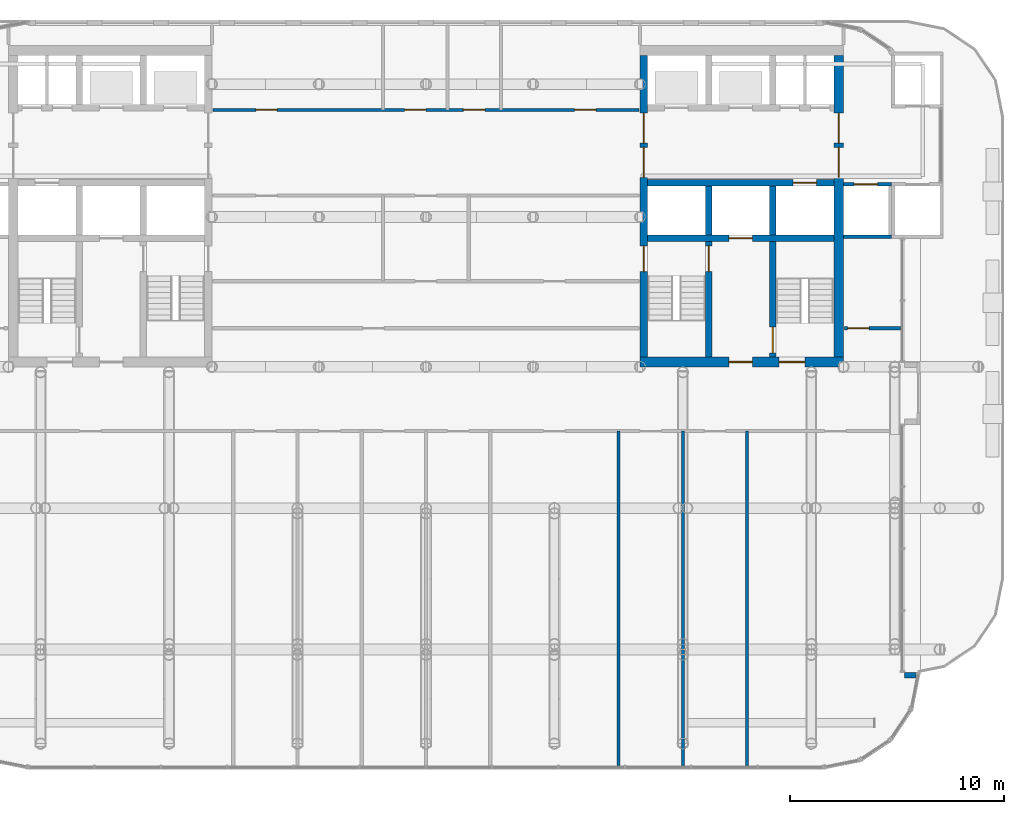
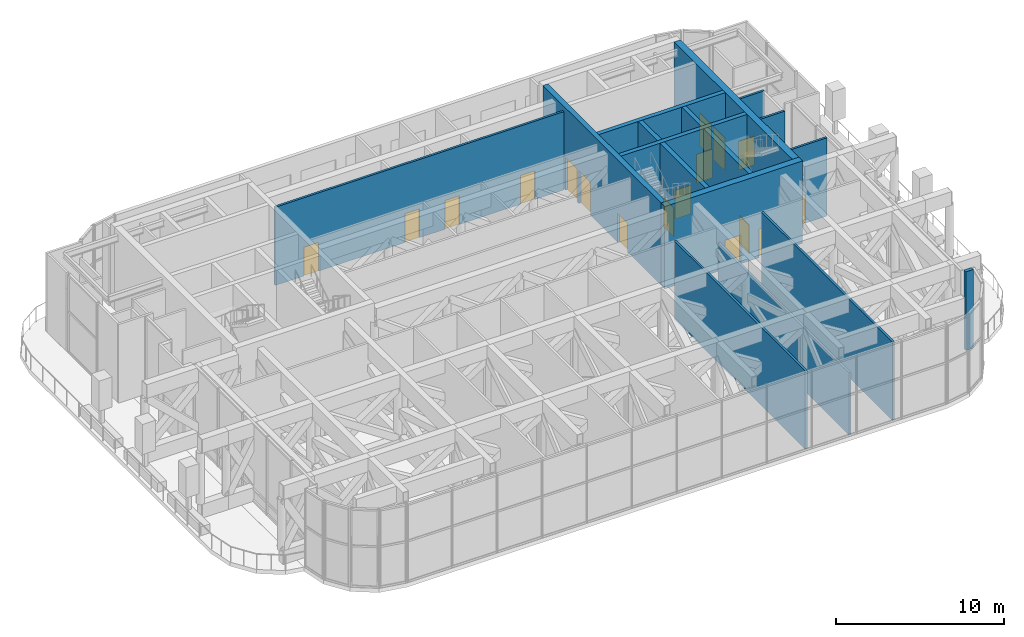
# One storey, part 14 of 21: 17 doors, 17 walls, 17 openings.
"""IFC4 building model written with IfcOpenShell, lengths in metres."""

from ifc_helpers import new_model, si_unit, direction, frame, frame_2d, origin, place, context, subcontext, project, spatial, rectangle, extrude, material, layer, layer_set, type_object, element, fill, save


model = new_model("IFC4")

# Units and contexts
model_context = context("Model", 3, precision=1e-05, world=origin(), true_north=direction((0.0, 1.0)))
body_context = subcontext(model_context, "Body", "Model", "MODEL_VIEW")
ifc_project = project(units=[si_unit("LENGTHUNIT", "METRE"), si_unit("AREAUNIT", "SQUARE_METRE"), si_unit("VOLUMEUNIT", "CUBIC_METRE"), si_unit("PLANEANGLEUNIT", "RADIAN"), si_unit("MASSUNIT", "GRAM", prefix="KILO")], contexts=[model_context])

# Site, building, storey
site_placement = place(None, origin())
site = spatial("IfcSite", under=ifc_project, at=site_placement, CompositionType="ELEMENT")
building_placement = place(site_placement, origin())
building = spatial("IfcBuilding", under=site, at=building_placement, Name="Torana Hotel and Residences", CompositionType="ELEMENT")
storey_placement = place(building_placement, frame((0.0, 0.0, 246.60009765625)))
storey = spatial("IfcBuildingStorey", under=building, at=storey_placement, Name="L65", CompositionType="ELEMENT", Elevation=246.60009765625)

# Wall, opening, door
ifc_material_1 = material(Name="Concrete C60/75", Category="concrete")
ifc_layer_1 = layer(ifc_material_1, 0.300048828125)
ifc_layer_set_1 = layer_set([ifc_layer_1], Name="CORE WALL 300 C60/75")
wall_type_1 = type_object("IfcWallType", Name="CORE WALL 300 C60/75", PredefinedType="SHEAR", material=ifc_layer_set_1)
wall_1_placement = place(storey_placement, frame((10.35009765625, -6.39990234375, 0.0), z_axis=(0.0, 0.0, 1.0), x_axis=(1.0, 0.0, 0.0)))
wall_1 = element("IfcWall", 1, at=wall_1_placement, inside=storey, type_object=wall_type_1, Name="Core wall E row-S", PredefinedType="SHEAR", context=body_context, shape_type="SweptSolid", body=[
    extrude(rectangle(XDim=8.699951171875, YDim=0.300048828125, at=frame_2d((4.35009765625, 0.0))), origin(), (0.0, 0.0, 1.0), 6.0),
])
opening_1_placement = place(wall_1_placement, frame((6.800048828125, 0.0, 0.0)))
opening_1 = element("IfcOpeningElement", 2, at=opening_1_placement, cuts=wall_1, Name="Opening LD", PredefinedType="OPENING", context=body_context, shape_type="SweptSolid", body=[
    extrude(rectangle(XDim=1.10009765625, YDim=2.10009765625, at=frame_2d((0.550048828125, 1.050048828125))), frame((0.0, 0.159912109375, 0.0), z_axis=(0.0, -1.0, 0.0), x_axis=(1.0, 0.0, 0.0)), (0.0, 0.0, 1.0), 0.320068359375),
])
ifc_material_2 = material(Name="Stainless steel 316", Category="steel")
door_type_1 = type_object("IfcDoorType", Name="LIFT LANDING DOOR LD 1100x2100", OperationType="DOUBLE_DOOR_SLIDING", PredefinedType="USERDEFINED", material=ifc_material_2)
door_1_placement = place(opening_1_placement, origin())
door_1 = element("IfcDoor", 3, at=door_1_placement, inside=storey, type_object=door_type_1, Name="Lift landing door SV2 L65", ObjectType="LIFT LANDING DOOR", OperationType="DOUBLE_DOOR_SLIDING", OverallHeight=2.10009765625, OverallWidth=1.10009765625, PredefinedType="USERDEFINED", context=body_context, shape_type="SweptSolid", body=[
    extrude(rectangle(XDim=1.10009765625, YDim=2.10009765625, at=frame_2d((0.550048828125, 1.050048828125))), frame((0.0, 0.02490234375, 0.0), z_axis=(0.0, -1.0, 0.0), x_axis=(1.0, 0.0, 0.0)), (0.0, 0.0, 1.0), 0.050048828125),
])
fill(opening_1, door_1)

wall_2_placement = place(storey_placement, frame((10.35009765625, -9.0, 0.0), z_axis=(0.0, 0.0, 1.0), x_axis=(1.0, 0.0, 0.0)))
wall_2 = element("IfcWall", 4, at=wall_2_placement, inside=storey, type_object=wall_type_1, Name="Core wall E band", PredefinedType="SHEAR", context=body_context, shape_type="SweptSolid", body=[
    extrude(rectangle(XDim=8.699951171875, YDim=0.300048828125, at=frame_2d((4.35009765625, 0.0))), origin(), (0.0, 0.0, 1.0), 6.0),
])
opening_2_placement = place(wall_2_placement, frame((3.800048828125, 0.0, 0.0)))
opening_2 = element("IfcOpeningElement", 5, at=opening_2_placement, cuts=wall_2, Name="Opening LD", PredefinedType="OPENING", context=body_context, shape_type="SweptSolid", body=[
    extrude(rectangle(XDim=1.10009765625, YDim=2.10009765625, at=frame_2d((0.550048828125, 1.050048828125))), frame((0.0, 0.159912109375, 0.0), z_axis=(0.0, -1.0, 0.0), x_axis=(1.0, 0.0, 0.0)), (0.0, 0.0, 1.0), 0.320068359375),
])
door_2_placement = place(opening_2_placement, origin())
door_2 = element("IfcDoor", 6, at=door_2_placement, inside=storey, type_object=door_type_1, Name="Lift landing door FF2 L65", ObjectType="LIFT LANDING DOOR", OperationType="DOUBLE_DOOR_SLIDING", OverallHeight=2.10009765625, OverallWidth=1.10009765625, PredefinedType="USERDEFINED", context=body_context, shape_type="SweptSolid", body=[
    extrude(rectangle(XDim=1.10009765625, YDim=2.10009765625, at=frame_2d((0.550048828125, 1.050048828125))), frame((0.0, 0.02490234375, 0.0), z_axis=(0.0, -1.0, 0.0), x_axis=(1.0, 0.0, 0.0)), (0.0, 0.0, 1.0), 0.050048828125),
])
fill(opening_2, door_2)

# Wall
wall_3_placement = place(storey_placement, frame((13.199951171875, -8.85009765625, 0.0), z_axis=(0.0, 0.0, 1.0), x_axis=(0.0, 1.0, 0.0)))
element("IfcWall", 7, at=wall_3_placement, inside=storey, type_object=wall_type_1, Name="Core wall E x3.05-S", PredefinedType="SHEAR", context=body_context, shape_type="SweptSolid", body=[
    extrude(rectangle(XDim=2.300048828125, YDim=0.300048828125, at=frame_2d((1.14990234375, 0.0))), origin(), (0.0, 0.0, 1.0), 6.0),
])

# Wall, opening, door
wall_4_placement = place(storey_placement, frame((13.199951171875, -14.550048828125, 0.0), z_axis=(0.0, 0.0, 1.0), x_axis=(0.0, 1.0, 0.0)))
wall_4 = element("IfcWall", 8, at=wall_4_placement, inside=storey, type_object=wall_type_1, Name="Core wall E x3.05-band", PredefinedType="SHEAR", context=body_context, shape_type="SweptSolid", body=[
    extrude(rectangle(XDim=5.400146484375, YDim=0.300048828125, at=frame_2d((2.7001953125, 0.0))), origin(), (0.0, 0.0, 1.0), 6.0),
])
opening_3_placement = place(wall_4_placement, frame((4.0, 0.0, 0.0)))
opening_3 = element("IfcOpeningElement", 9, at=opening_3_placement, cuts=wall_4, Name="Opening L65-21", PredefinedType="OPENING", context=body_context, shape_type="SweptSolid", body=[
    extrude(rectangle(XDim=1.199951171875, YDim=2.10009765625, at=frame_2d((0.60009765625, 1.050048828125))), frame((0.0, 0.159912109375, 0.0), z_axis=(0.0, -1.0, 0.0), x_axis=(1.0, 0.0, 0.0)), (0.0, 0.0, 1.0), 0.320068359375),
])
ifc_material_3 = material(Name="Steel S235", Category="steel")
door_type_2 = type_object("IfcDoorType", Name="STAIR FIRE DOOR D3 1200x2100", OperationType="SINGLE_SWING_LEFT", PredefinedType="DOOR", material=ifc_material_3)
door_3_placement = place(opening_3_placement, origin())
door_3 = element("IfcDoor", 10, at=door_3_placement, inside=storey, type_object=door_type_2, Name="Stair-A-lobby door L65", OperationType="SINGLE_SWING_LEFT", OverallHeight=2.10009765625, OverallWidth=1.199951171875, PredefinedType="DOOR", context=body_context, shape_type="SweptSolid", body=[
    extrude(rectangle(XDim=1.199951171875, YDim=2.10009765625, at=frame_2d((0.60009765625, 1.050048828125))), frame((0.0, 0.02490234375, 0.0), z_axis=(0.0, -1.0, 0.0), x_axis=(1.0, 0.0, 0.0)), (0.0, 0.0, 1.0), 0.050048828125),
])
fill(opening_3, door_3)

# Wall
wall_5_placement = place(storey_placement, frame((16.199951171875, -8.85009765625, 0.0), z_axis=(0.0, 0.0, 1.0), x_axis=(0.0, 1.0, 0.0)))
element("IfcWall", 11, at=wall_5_placement, inside=storey, type_object=wall_type_1, Name="Core wall E x6.05-S", PredefinedType="SHEAR", context=body_context, shape_type="SweptSolid", body=[
    extrude(rectangle(XDim=2.300048828125, YDim=0.300048828125, at=frame_2d((1.14990234375, 0.0))), origin(), (0.0, 0.0, 1.0), 6.0),
])

# Wall, opening, door
wall_6_placement = place(storey_placement, frame((16.199951171875, -14.550048828125, 0.0), z_axis=(0.0, 0.0, 1.0), x_axis=(0.0, 1.0, 0.0)))
wall_6 = element("IfcWall", 12, at=wall_6_placement, inside=storey, type_object=wall_type_1, Name="Core wall E x6.05-band", PredefinedType="SHEAR", context=body_context, shape_type="SweptSolid", body=[
    extrude(rectangle(XDim=5.400146484375, YDim=0.300048828125, at=frame_2d((2.7001953125, 0.0))), origin(), (0.0, 0.0, 1.0), 6.0),
])
opening_4_placement = place(wall_6_placement, frame((0.199951171875, 0.0, 0.0)))
opening_4 = element("IfcOpeningElement", 13, at=opening_4_placement, cuts=wall_6, Name="Opening L65-22", PredefinedType="OPENING", context=body_context, shape_type="SweptSolid", body=[
    extrude(rectangle(XDim=1.199951171875, YDim=2.10009765625, at=frame_2d((0.60009765625, 1.050048828125))), frame((0.0, 0.159912109375, 0.0), z_axis=(0.0, -1.0, 0.0), x_axis=(1.0, 0.0, 0.0)), (0.0, 0.0, 1.0), 0.320068359375),
])
door_4_placement = place(opening_4_placement, frame((0.60009765625, 0.0, 0.0), z_axis=(0.0, 0.0, 1.0), x_axis=(-1.0, 0.0, 0.0)))
door_4 = element("IfcDoor", 14, at=door_4_placement, inside=storey, type_object=door_type_2, Name="Stair-B-lobby door L65", OperationType="SINGLE_SWING_LEFT", OverallHeight=2.10009765625, OverallWidth=1.199951171875, PredefinedType="DOOR", context=body_context, shape_type="SweptSolid", body=[
    extrude(rectangle(XDim=1.199951171875, YDim=2.10009765625, at=frame_2d((0.0, 1.050048828125))), frame((0.0, -0.02490234375, 0.0), z_axis=(0.0, 1.0, 0.0), x_axis=(-1.0, 0.0, 0.0)), (0.0, 0.0, 1.0), 0.050048828125),
])
fill(opening_4, door_4)

# Wall, openings, doors
ifc_material_4 = material(Name="Concrete C60/75", Category="concrete")
ifc_layer_2 = layer(ifc_material_4, 0.35009765625)
ifc_layer_set_2 = layer_set([ifc_layer_2], Name="CORE WALL 350 C60/75")
wall_type_2 = type_object("IfcWallType", Name="CORE WALL 350 C60/75", PredefinedType="SHEAR", material=ifc_layer_set_2)
wall_7_placement = place(storey_placement, frame((10.175048828125, -14.550048828125, 0.0), z_axis=(0.0, 0.0, 1.0), x_axis=(0.0, 1.0, 0.0)))
wall_7 = element("IfcWall", 15, at=wall_7_placement, inside=storey, type_object=wall_type_2, Name="Core wall E arch", PredefinedType="SHEAR", context=body_context, shape_type="SweptSolid", body=[
    extrude(rectangle(XDim=14.10009765625, YDim=0.35009765625, at=frame_2d((7.050048828125, 0.0))), origin(), (0.0, 0.0, 1.0), 6.0),
])
opening_5_placement = place(wall_7_placement, frame((8.39990234375, 0.0, 0.0)))
opening_5 = element("IfcOpeningElement", 16, at=opening_5_placement, cuts=wall_7, Name="Opening L65-14", PredefinedType="OPENING", context=body_context, shape_type="SweptSolid", body=[
    extrude(rectangle(XDim=1.39990234375, YDim=2.39990234375, at=frame_2d((0.699951171875, 1.199951171875))), frame((0.0, 0.18505859375, 0.0), z_axis=(0.0, -1.0, 0.0), x_axis=(1.0, 0.0, 0.0)), (0.0, 0.0, 1.0), 0.3701171875),
])
opening_6_placement = place(wall_7_placement, frame((10.0, 0.0, 0.0)))
opening_6 = element("IfcOpeningElement", 17, at=opening_6_placement, cuts=wall_7, Name="Opening L65-15", PredefinedType="OPENING", context=body_context, shape_type="SweptSolid", body=[
    extrude(rectangle(XDim=1.39990234375, YDim=2.39990234375, at=frame_2d((0.699951171875, 1.199951171875))), frame((0.0, 0.18505859375, 0.0), z_axis=(0.0, -1.0, 0.0), x_axis=(1.0, 0.0, 0.0)), (0.0, 0.0, 1.0), 0.3701171875),
])
opening_7_placement = place(wall_7_placement, frame((4.0, 0.0, 0.0)))
opening_7 = element("IfcOpeningElement", 18, at=opening_7_placement, cuts=wall_7, Name="Opening L65-16", PredefinedType="OPENING", context=body_context, shape_type="SweptSolid", body=[
    extrude(rectangle(XDim=1.199951171875, YDim=2.10009765625, at=frame_2d((0.60009765625, 1.050048828125))), frame((0.0, 0.18505859375, 0.0), z_axis=(0.0, -1.0, 0.0), x_axis=(1.0, 0.0, 0.0)), (0.0, 0.0, 1.0), 0.3701171875),
])
ifc_material_5 = material(Name="Steel S235", Category="steel")
door_type_3 = type_object("IfcDoorType", Name="LOBBY FIRE DOOR D4 1400x2400", OperationType="DOUBLE_DOOR_SINGLE_SWING", PredefinedType="DOOR", material=ifc_material_5)
door_5_placement = place(opening_5_placement, origin())
door_5 = element("IfcDoor", 19, at=door_5_placement, inside=storey, type_object=door_type_3, Name="Lobby-1 door L65", OperationType="DOUBLE_DOOR_SINGLE_SWING", OverallHeight=2.39990234375, OverallWidth=1.39990234375, PredefinedType="DOOR", context=body_context, shape_type="SweptSolid", body=[
    extrude(rectangle(XDim=1.39990234375, YDim=2.39990234375, at=frame_2d((0.699951171875, 1.199951171875))), frame((0.0, 0.02490234375, 0.0), z_axis=(0.0, -1.0, 0.0), x_axis=(1.0, 0.0, 0.0)), (0.0, 0.0, 1.0), 0.050048828125),
])
fill(opening_5, door_5)
door_6_placement = place(opening_6_placement, origin())
door_6 = element("IfcDoor", 20, at=door_6_placement, inside=storey, type_object=door_type_3, Name="Lobby-2 door L65", OperationType="DOUBLE_DOOR_SINGLE_SWING", OverallHeight=2.39990234375, OverallWidth=1.39990234375, PredefinedType="DOOR", context=body_context, shape_type="SweptSolid", body=[
    extrude(rectangle(XDim=1.39990234375, YDim=2.39990234375, at=frame_2d((0.699951171875, 1.199951171875))), frame((0.0, 0.02490234375, 0.0), z_axis=(0.0, -1.0, 0.0), x_axis=(1.0, 0.0, 0.0)), (0.0, 0.0, 1.0), 0.050048828125),
])
fill(opening_6, door_6)
door_7_placement = place(opening_7_placement, frame((0.60009765625, 0.0, 0.0), z_axis=(0.0, 0.0, 1.0), x_axis=(-1.0, 0.0, 0.0)))
door_7 = element("IfcDoor", 21, at=door_7_placement, inside=storey, type_object=door_type_2, Name="Stair-A door L65", OperationType="SINGLE_SWING_RIGHT", OverallHeight=2.10009765625, OverallWidth=1.199951171875, PredefinedType="DOOR", context=body_context, shape_type="SweptSolid", body=[
    extrude(rectangle(XDim=1.199951171875, YDim=2.10009765625, at=frame_2d((0.0, 1.050048828125))), frame((0.0, -0.02490234375, 0.0), z_axis=(0.0, 1.0, 0.0), x_axis=(-1.0, 0.0, 0.0)), (0.0, 0.0, 1.0), 0.050048828125),
])
fill(opening_7, door_7)

ifc_material_6 = material(Name="Concrete C60/75", Category="concrete")
ifc_layer_3 = layer(ifc_material_6, 0.449951171875)
ifc_layer_set_3 = layer_set([ifc_layer_3], Name="CORE WALL 450 C60/75")
wall_type_3 = type_object("IfcWallType", Name="CORE WALL 450 C60/75", PredefinedType="SHEAR", material=ifc_layer_set_3)
wall_8_placement = place(storey_placement, frame((10.0, -14.77490234375, 0.0), z_axis=(0.0, 0.0, 1.0), x_axis=(1.0, 0.0, 0.0)))
wall_8 = element("IfcWall", 22, at=wall_8_placement, inside=storey, type_object=wall_type_3, Name="Core wall E front", PredefinedType="SHEAR", context=body_context, shape_type="SweptSolid", body=[
    extrude(rectangle(XDim=9.5, YDim=0.449951171875, at=frame_2d((4.75, 0.0))), origin(), (0.0, 0.0, 1.0), 6.0),
])
opening_8_placement = place(wall_8_placement, frame((6.5, 0.0, 0.0)))
opening_8 = element("IfcOpeningElement", 23, at=opening_8_placement, cuts=wall_8, Name="Opening L65-17", PredefinedType="OPENING", context=body_context, shape_type="SweptSolid", body=[
    extrude(rectangle(XDim=1.199951171875, YDim=2.10009765625, at=frame_2d((0.60009765625, 1.050048828125))), frame((0.0, 0.23486328125, 0.0), z_axis=(0.0, -1.0, 0.0), x_axis=(1.0, 0.0, 0.0)), (0.0, 0.0, 1.0), 0.469970703125),
])
opening_9_placement = place(wall_8_placement, frame((4.14990234375, 0.0, 0.0)))
opening_9 = element("IfcOpeningElement", 24, at=opening_9_placement, cuts=wall_8, Name="Opening L65-18", PredefinedType="OPENING", context=body_context, shape_type="SweptSolid", body=[
    extrude(rectangle(XDim=1.10009765625, YDim=2.10009765625, at=frame_2d((0.550048828125, 1.050048828125))), frame((0.0, 0.23486328125, 0.0), z_axis=(0.0, -1.0, 0.0), x_axis=(1.0, 0.0, 0.0)), (0.0, 0.0, 1.0), 0.469970703125),
])
ifc_material_7 = material(Name="Steel S235", Category="steel")
door_type_4 = type_object("IfcDoorType", Name="FIRE-FIGHTING LOBBY DOOR D8 1100x2100", OperationType="SINGLE_SWING_LEFT", PredefinedType="DOOR", material=ifc_material_7)
door_8_placement = place(opening_9_placement, origin())
door_8 = element("IfcDoor", 25, at=door_8_placement, inside=storey, type_object=door_type_4, Name="FF-lobby door L65", OperationType="SINGLE_SWING_RIGHT", OverallHeight=2.10009765625, OverallWidth=1.10009765625, PredefinedType="DOOR", context=body_context, shape_type="SweptSolid", body=[
    extrude(rectangle(XDim=1.10009765625, YDim=2.10009765625, at=frame_2d((0.550048828125, 1.050048828125))), frame((0.0, 0.02490234375, 0.0), z_axis=(0.0, -1.0, 0.0), x_axis=(1.0, 0.0, 0.0)), (0.0, 0.0, 1.0), 0.050048828125),
])
fill(opening_9, door_8)
door_9_placement = place(opening_8_placement, origin())
door_9 = element("IfcDoor", 26, at=door_9_placement, inside=storey, type_object=door_type_2, Name="Stair-B door L65", OperationType="SINGLE_SWING_RIGHT", OverallHeight=2.10009765625, OverallWidth=1.199951171875, PredefinedType="DOOR", context=body_context, shape_type="SweptSolid", body=[
    extrude(rectangle(XDim=1.199951171875, YDim=2.10009765625, at=frame_2d((0.60009765625, 1.050048828125))), frame((0.0, 0.02490234375, 0.0), z_axis=(0.0, -1.0, 0.0), x_axis=(1.0, 0.0, 0.0)), (0.0, 0.0, 1.0), 0.050048828125),
])
fill(opening_8, door_9)

wall_9_placement = place(storey_placement, frame((19.27490234375, -14.550048828125, 0.0), z_axis=(0.0, 0.0, 1.0), x_axis=(0.0, 1.0, 0.0)))
wall_9 = element("IfcWall", 27, at=wall_9_placement, inside=storey, type_object=wall_type_3, Name="Core wall E outer", PredefinedType="SHEAR", context=body_context, shape_type="SweptSolid", body=[
    extrude(rectangle(XDim=14.10009765625, YDim=0.449951171875, at=frame_2d((7.050048828125, 0.0))), origin(), (0.0, 0.0, 1.0), 6.0),
])
opening_10_placement = place(wall_9_placement, frame((8.39990234375, 0.0, 0.0)))
opening_10 = element("IfcOpeningElement", 28, at=opening_10_placement, cuts=wall_9, Name="Opening L65-03", PredefinedType="OPENING", context=body_context, shape_type="SweptSolid", body=[
    extrude(rectangle(XDim=1.39990234375, YDim=2.39990234375, at=frame_2d((0.699951171875, 1.199951171875))), frame((0.0, 0.23486328125, 0.0), z_axis=(0.0, -1.0, 0.0), x_axis=(1.0, 0.0, 0.0)), (0.0, 0.0, 1.0), 0.469970703125),
])
opening_11_placement = place(wall_9_placement, frame((10.0, 0.0, 0.0)))
opening_11 = element("IfcOpeningElement", 29, at=opening_11_placement, cuts=wall_9, Name="Opening L65-04", PredefinedType="OPENING", context=body_context, shape_type="SweptSolid", body=[
    extrude(rectangle(XDim=1.39990234375, YDim=2.39990234375, at=frame_2d((0.699951171875, 1.199951171875))), frame((0.0, 0.23486328125, 0.0), z_axis=(0.0, -1.0, 0.0), x_axis=(1.0, 0.0, 0.0)), (0.0, 0.0, 1.0), 0.469970703125),
])
door_10_placement = place(opening_10_placement, origin())
door_10 = element("IfcDoor", 30, at=door_10_placement, inside=storey, type_object=door_type_3, Name="Lobby-M1 door L65", OperationType="DOUBLE_DOOR_SINGLE_SWING", OverallHeight=2.39990234375, OverallWidth=1.39990234375, PredefinedType="DOOR", context=body_context, shape_type="SweptSolid", body=[
    extrude(rectangle(XDim=1.39990234375, YDim=2.39990234375, at=frame_2d((0.699951171875, 1.199951171875))), frame((0.0, 0.02490234375, 0.0), z_axis=(0.0, -1.0, 0.0), x_axis=(1.0, 0.0, 0.0)), (0.0, 0.0, 1.0), 0.050048828125),
])
fill(opening_10, door_10)
door_11_placement = place(opening_11_placement, origin())
door_11 = element("IfcDoor", 31, at=door_11_placement, inside=storey, type_object=door_type_3, Name="Lobby-M2 door L65", OperationType="DOUBLE_DOOR_SINGLE_SWING", OverallHeight=2.39990234375, OverallWidth=1.39990234375, PredefinedType="DOOR", context=body_context, shape_type="SweptSolid", body=[
    extrude(rectangle(XDim=1.39990234375, YDim=2.39990234375, at=frame_2d((0.699951171875, 1.199951171875))), frame((0.0, 0.02490234375, 0.0), z_axis=(0.0, -1.0, 0.0), x_axis=(1.0, 0.0, 0.0)), (0.0, 0.0, 1.0), 0.050048828125),
])
fill(opening_11, door_11)

# Wall
ifc_material_8 = material(Name="Black aluminium composite panel", Category="aluminium")
ifc_layer_4 = layer(ifc_material_8, 0.00390625, Name="Cladding", Category="cladding")
ifc_material_9 = material(Name="Ventilated air cavity")
ifc_layer_5 = layer(ifc_material_9, 0.0400390625, Name="Ventilated cavity", Category="cavity")
ifc_material_10 = material(Name="Mineral wool insulation")
ifc_layer_6 = layer(ifc_material_10, 0.090087890625, Name="Insulation", Category="insulation")
ifc_material_11 = material(Name="Steel S280GD", Category="steel")
ifc_layer_7 = layer(ifc_material_11, 0.092041015625, Name="Steel stud frame", Category="structure")
ifc_material_12 = material(Name="Fire rated plasterboard")
ifc_layer_8 = layer(ifc_material_12, 0.011962890625, Name="Inner board", Category="finish")
ifc_layer_9 = layer(ifc_material_12, 0.011962890625, Name="Second board", Category="finish")
ifc_layer_set_4 = layer_set([ifc_layer_4, ifc_layer_5, ifc_layer_6, ifc_layer_7, ifc_layer_8, ifc_layer_9], Name="EW1 EXTERNAL WALL BLACK METAL CLAD 250")
wall_type_4 = type_object("IfcWallType", Name="EW1 EXTERNAL WALL BLACK METAL CLAD 250", PredefinedType="SOLIDWALL", material=ifc_layer_set_4)
wall_10_placement = place(storey_placement, frame((22.35498046875, -29.400390625, 0.0), z_axis=(0.0, 0.0, 1.0), x_axis=(1.0, 0.0, 0.0)))
element("IfcWall", 32, at=wall_10_placement, inside=storey, type_object=wall_type_4, Name="External wall L65 e0.14 return 1", PredefinedType="SOLIDWALL", context=body_context, shape_type="SweptSolid", body=[
    extrude(rectangle(XDim=0.52490234375, YDim=0.25, at=frame_2d((0.262451171875, 0.0))), origin(), (0.0, 0.0, 1.0), 5.719970703125),
])

# Wall, opening, door
ifc_material_13 = material(Name="Gypsum plaster")
ifc_layer_10 = layer(ifc_material_13, 0.014892578125, Name="Plaster", Category="finish")
ifc_material_14 = material(Name="Concrete blockwork", Category="masonry")
ifc_layer_11 = layer(ifc_material_14, 0.1201171875, Name="Blockwork", Category="structure")
ifc_layer_12 = layer(ifc_material_13, 0.014892578125, Name="Plaster", Category="finish")
ifc_layer_set_5 = layer_set([ifc_layer_10, ifc_layer_11, ifc_layer_12], Name="FIRE PARTITION 150 BLOCKWORK")
wall_type_5 = type_object("IfcWallType", Name="FIRE PARTITION 150 BLOCKWORK", PredefinedType="PARTITIONING", material=ifc_layer_set_5)
wall_11_placement = place(storey_placement, frame((19.550048828125, -13.199951171875, 0.0), z_axis=(0.0, 0.0, 1.0), x_axis=(1.0, 0.0, 0.0)))
wall_11 = element("IfcWall", 33, at=wall_11_placement, inside=storey, type_object=wall_type_5, Name="Partition L65", PredefinedType="PARTITIONING", context=body_context, shape_type="SweptSolid", body=[
    extrude(rectangle(XDim=2.625, YDim=0.14990234375, at=frame_2d((1.3125, 0.0))), origin(), (0.0, 0.0, 1.0), 5.699951171875),
])
opening_12_placement = place(wall_11_placement, frame((0.14990234375, 0.0, 0.0)))
opening_12 = element("IfcOpeningElement", 34, at=opening_12_placement, cuts=wall_11, Name="Opening L65-34", PredefinedType="OPENING", context=body_context, shape_type="SweptSolid", body=[
    extrude(rectangle(XDim=1.0, YDim=2.10009765625, at=frame_2d((0.5, 1.050048828125))), frame((0.0, 0.0849609375, 0.0), z_axis=(0.0, -1.0, 0.0), x_axis=(1.0, 0.0, 0.0)), (0.0, 0.0, 1.0), 0.169921875),
])
ifc_material_15 = material(Name="Steel S235", Category="steel")
door_type_5 = type_object("IfcDoorType", Name="CORE ROOM FIRE DOOR D14 1000x2100", OperationType="SINGLE_SWING_LEFT", PredefinedType="DOOR", material=ifc_material_15)
door_12_placement = place(opening_12_placement, origin())
door_12 = element("IfcDoor", 35, at=door_12_placement, inside=storey, type_object=door_type_5, Name="Door L65", OperationType="SINGLE_SWING_RIGHT", OverallHeight=2.10009765625, OverallWidth=1.0, PredefinedType="DOOR", context=body_context, shape_type="SweptSolid", body=[
    extrude(rectangle(XDim=1.0, YDim=2.10009765625, at=frame_2d((0.5, 1.050048828125))), frame((0.0, 0.02490234375, 0.0), z_axis=(0.0, -1.0, 0.0), x_axis=(1.0, 0.0, 0.0)), (0.0, 0.0, 1.0), 0.050048828125),
])
fill(opening_12, door_12)

# Wall, openings, doors
wall_12_placement = place(storey_placement, frame((-9.949951171875, -3.0, 0.0), z_axis=(0.0, 0.0, 1.0), x_axis=(1.0, 0.0, 0.0)))
wall_12 = element("IfcWall", 36, at=wall_12_placement, inside=storey, type_object=wall_type_5, Name="Partition L65", PredefinedType="PARTITIONING", context=body_context, shape_type="SweptSolid", body=[
    extrude(rectangle(XDim=19.89990234375, YDim=0.14990234375, at=frame_2d((9.949951171875, 0.0))), origin(), (0.0, 0.0, 1.0), 5.699951171875),
])
opening_13_placement = place(wall_12_placement, frame((2.0, 0.0, 0.0)))
opening_13 = element("IfcOpeningElement", 37, at=opening_13_placement, cuts=wall_12, Name="Opening L65-39", PredefinedType="OPENING", context=body_context, shape_type="SweptSolid", body=[
    extrude(rectangle(XDim=1.0, YDim=2.10009765625, at=frame_2d((0.5, 1.050048828125))), frame((0.0, 0.0849609375, 0.0), z_axis=(0.0, -1.0, 0.0), x_axis=(1.0, 0.0, 0.0)), (0.0, 0.0, 1.0), 0.169921875),
])
opening_14_placement = place(wall_12_placement, frame((8.949951171875, 0.0, 0.0)))
opening_14 = element("IfcOpeningElement", 38, at=opening_14_placement, cuts=wall_12, Name="Opening L65-40", PredefinedType="OPENING", context=body_context, shape_type="SweptSolid", body=[
    extrude(rectangle(XDim=1.0, YDim=2.10009765625, at=frame_2d((0.5, 1.050048828125))), frame((0.0, 0.0849609375, 0.0), z_axis=(0.0, -1.0, 0.0), x_axis=(1.0, 0.0, 0.0)), (0.0, 0.0, 1.0), 0.169921875),
])
opening_15_placement = place(wall_12_placement, frame((11.699951171875, 0.0, 0.0)))
opening_15 = element("IfcOpeningElement", 39, at=opening_15_placement, cuts=wall_12, Name="Opening L65-41", PredefinedType="OPENING", context=body_context, shape_type="SweptSolid", body=[
    extrude(rectangle(XDim=1.0, YDim=2.10009765625, at=frame_2d((0.5, 1.050048828125))), frame((0.0, 0.0849609375, 0.0), z_axis=(0.0, -1.0, 0.0), x_axis=(1.0, 0.0, 0.0)), (0.0, 0.0, 1.0), 0.169921875),
])
opening_16_placement = place(wall_12_placement, frame((16.89990234375, 0.0, 0.0)))
opening_16 = element("IfcOpeningElement", 40, at=opening_16_placement, cuts=wall_12, Name="Opening L65-42", PredefinedType="OPENING", context=body_context, shape_type="SweptSolid", body=[
    extrude(rectangle(XDim=1.0, YDim=2.10009765625, at=frame_2d((0.5, 1.050048828125))), frame((0.0, 0.0849609375, 0.0), z_axis=(0.0, -1.0, 0.0), x_axis=(1.0, 0.0, 0.0)), (0.0, 0.0, 1.0), 0.169921875),
])
ifc_material_16 = material(Name="Steel S235", Category="steel")
door_type_6 = type_object("IfcDoorType", Name="ENTRY FIRE DOOR D6 1000x2100", OperationType="SINGLE_SWING_LEFT", PredefinedType="DOOR", material=ifc_material_16)
door_13_placement = place(opening_13_placement, origin())
door_13 = element("IfcDoor", 41, at=door_13_placement, inside=storey, type_object=door_type_6, Name="Door L65", OperationType="SINGLE_SWING_RIGHT", OverallHeight=2.10009765625, OverallWidth=1.0, PredefinedType="DOOR", context=body_context, shape_type="SweptSolid", body=[
    extrude(rectangle(XDim=1.0, YDim=2.10009765625, at=frame_2d((0.5, 1.050048828125))), frame((0.0, 0.02490234375, 0.0), z_axis=(0.0, -1.0, 0.0), x_axis=(1.0, 0.0, 0.0)), (0.0, 0.0, 1.0), 0.050048828125),
])
fill(opening_13, door_13)
door_14_placement = place(opening_14_placement, origin())
door_14 = element("IfcDoor", 42, at=door_14_placement, inside=storey, type_object=door_type_6, Name="Door L65", OperationType="SINGLE_SWING_RIGHT", OverallHeight=2.10009765625, OverallWidth=1.0, PredefinedType="DOOR", context=body_context, shape_type="SweptSolid", body=[
    extrude(rectangle(XDim=1.0, YDim=2.10009765625, at=frame_2d((0.5, 1.050048828125))), frame((0.0, 0.02490234375, 0.0), z_axis=(0.0, -1.0, 0.0), x_axis=(1.0, 0.0, 0.0)), (0.0, 0.0, 1.0), 0.050048828125),
])
fill(opening_14, door_14)
door_15_placement = place(opening_15_placement, origin())
door_15 = element("IfcDoor", 43, at=door_15_placement, inside=storey, type_object=door_type_6, Name="Door L65", OperationType="SINGLE_SWING_RIGHT", OverallHeight=2.10009765625, OverallWidth=1.0, PredefinedType="DOOR", context=body_context, shape_type="SweptSolid", body=[
    extrude(rectangle(XDim=1.0, YDim=2.10009765625, at=frame_2d((0.5, 1.050048828125))), frame((0.0, 0.02490234375, 0.0), z_axis=(0.0, -1.0, 0.0), x_axis=(1.0, 0.0, 0.0)), (0.0, 0.0, 1.0), 0.050048828125),
])
fill(opening_15, door_15)
door_16_placement = place(opening_16_placement, origin())
door_16 = element("IfcDoor", 44, at=door_16_placement, inside=storey, type_object=door_type_6, Name="Door L65", OperationType="SINGLE_SWING_RIGHT", OverallHeight=2.10009765625, OverallWidth=1.0, PredefinedType="DOOR", context=body_context, shape_type="SweptSolid", body=[
    extrude(rectangle(XDim=1.0, YDim=2.10009765625, at=frame_2d((0.5, 1.050048828125))), frame((0.0, 0.02490234375, 0.0), z_axis=(0.0, -1.0, 0.0), x_axis=(1.0, 0.0, 0.0)), (0.0, 0.0, 1.0), 0.050048828125),
])
fill(opening_16, door_16)

# Wall
ifc_material_17 = material(Name="Concrete C40/50", Category="concrete")
ifc_layer_13 = layer(ifc_material_17, 0.14990234375)
ifc_layer_set_6 = layer_set([ifc_layer_13], Name="LIFT SHAFT WALL 150")
wall_type_6 = type_object("IfcWallType", Name="LIFT SHAFT WALL 150", PredefinedType="PARTITIONING", material=ifc_layer_set_6)
wall_13_placement = place(storey_placement, frame((19.5, -8.925048828125, 0.0), z_axis=(0.0, 0.0, 1.0), x_axis=(1.0, 0.0, 0.0)))
element("IfcWall", 45, at=wall_13_placement, inside=storey, type_object=wall_type_6, Name="Lift shaft wall S4 L65", PredefinedType="PARTITIONING", context=body_context, shape_type="SweptSolid", body=[
    extrude(rectangle(XDim=2.25, YDim=0.14990234375, at=frame_2d((1.125, 0.0))), origin(), (0.0, 0.0, 1.0), 5.199951171875),
])

# Wall, opening, door
wall_14_placement = place(storey_placement, frame((19.5, -6.47509765625, 0.0), z_axis=(0.0, 0.0, 1.0), x_axis=(1.0, 0.0, 0.0)))
wall_14 = element("IfcWall", 46, at=wall_14_placement, inside=storey, type_object=wall_type_6, Name="Lift shaft wall S4 L65", PredefinedType="PARTITIONING", context=body_context, shape_type="SweptSolid", body=[
    extrude(rectangle(XDim=2.25, YDim=0.14990234375, at=frame_2d((1.125, 0.0))), origin(), (0.0, 0.0, 1.0), 5.199951171875),
])
opening_17_placement = place(wall_14_placement, frame((0.5, 0.0, 0.0)))
opening_17 = element("IfcOpeningElement", 47, at=opening_17_placement, cuts=wall_14, Name="Opening LD", PredefinedType="OPENING", context=body_context, shape_type="SweptSolid", body=[
    extrude(rectangle(XDim=1.10009765625, YDim=2.10009765625, at=frame_2d((0.550048828125, 1.050048828125))), frame((0.0, 0.0849609375, 0.0), z_axis=(0.0, -1.0, 0.0), x_axis=(1.0, 0.0, 0.0)), (0.0, 0.0, 1.0), 0.169921875),
])
door_17_placement = place(opening_17_placement, origin())
door_17 = element("IfcDoor", 48, at=door_17_placement, inside=storey, type_object=door_type_1, Name="Lift landing door S4 L65", ObjectType="LIFT LANDING DOOR", OperationType="DOUBLE_DOOR_SLIDING", OverallHeight=2.10009765625, OverallWidth=1.10009765625, PredefinedType="USERDEFINED", context=body_context, shape_type="SweptSolid", body=[
    extrude(rectangle(XDim=1.10009765625, YDim=2.10009765625, at=frame_2d((0.550048828125, 1.050048828125))), frame((0.0, 0.02490234375, 0.0), z_axis=(0.0, -1.0, 0.0), x_axis=(1.0, 0.0, 0.0)), (0.0, 0.0, 1.0), 0.050048828125),
])
fill(opening_17, door_17)

# Walls
ifc_material_18 = material(Name="Gypsum plasterboard")
ifc_layer_14 = layer(ifc_material_18, 0.012451171875, Name="Plasterboard", Category="finish")
ifc_layer_15 = layer(ifc_material_18, 0.012451171875, Name="Plasterboard", Category="finish")
ifc_layer_16 = layer(ifc_material_11, 0.10009765625, Name="Steel studs with mineral wool", Category="insulation")
ifc_layer_17 = layer(ifc_material_18, 0.012451171875, Name="Plasterboard", Category="finish")
ifc_layer_18 = layer(ifc_material_18, 0.012451171875, Name="Plasterboard", Category="finish")
ifc_layer_set_7 = layer_set([ifc_layer_14, ifc_layer_15, ifc_layer_16, ifc_layer_17, ifc_layer_18], Name="PARTITION 150 PLASTERBOARD")
wall_type_7 = type_object("IfcWallType", Name="PARTITION 150 PLASTERBOARD", PredefinedType="PARTITIONING", material=ifc_layer_set_7)
wall_15_placement = place(storey_placement, frame((15.0, -33.6201171875, 0.0), z_axis=(0.0, 0.0, 1.0), x_axis=(0.0, 1.0, 0.0)))
element("IfcWall", 49, at=wall_15_placement, inside=storey, type_object=wall_type_7, Name="Partition L65", PredefinedType="PARTITIONING", context=body_context, shape_type="SweptSolid", body=[
    extrude(rectangle(XDim=15.6201171875, YDim=0.14990234375, at=frame_2d((7.81005859375, 0.0))), origin(), (0.0, 0.0, 1.0), 5.699951171875),
])
wall_16_placement = place(storey_placement, frame((12.0, -33.6201171875, 0.0), z_axis=(0.0, 0.0, 1.0), x_axis=(0.0, 1.0, 0.0)))
element("IfcWall", 50, at=wall_16_placement, inside=storey, type_object=wall_type_7, Name="Partition L65", PredefinedType="PARTITIONING", context=body_context, shape_type="SweptSolid", body=[
    extrude(rectangle(XDim=15.6201171875, YDim=0.14990234375, at=frame_2d((7.81005859375, 0.0))), origin(), (0.0, 0.0, 1.0), 4.52001953125),
])
wall_17_placement = place(storey_placement, frame((9.0, -33.6201171875, 0.0), z_axis=(0.0, 0.0, 1.0), x_axis=(0.0, 1.0, 0.0)))
element("IfcWall", 51, at=wall_17_placement, inside=storey, type_object=wall_type_7, Name="Partition L65", PredefinedType="PARTITIONING", context=body_context, shape_type="SweptSolid", body=[
    extrude(rectangle(XDim=15.6201171875, YDim=0.14990234375, at=frame_2d((7.81005859375, 0.0))), origin(), (0.0, 0.0, 1.0), 5.699951171875),
])

save(model, "model.ifc")
